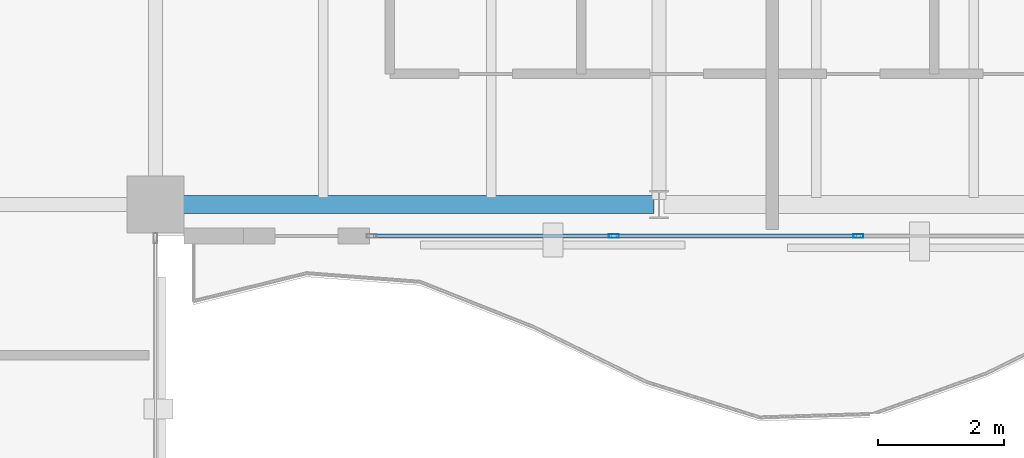
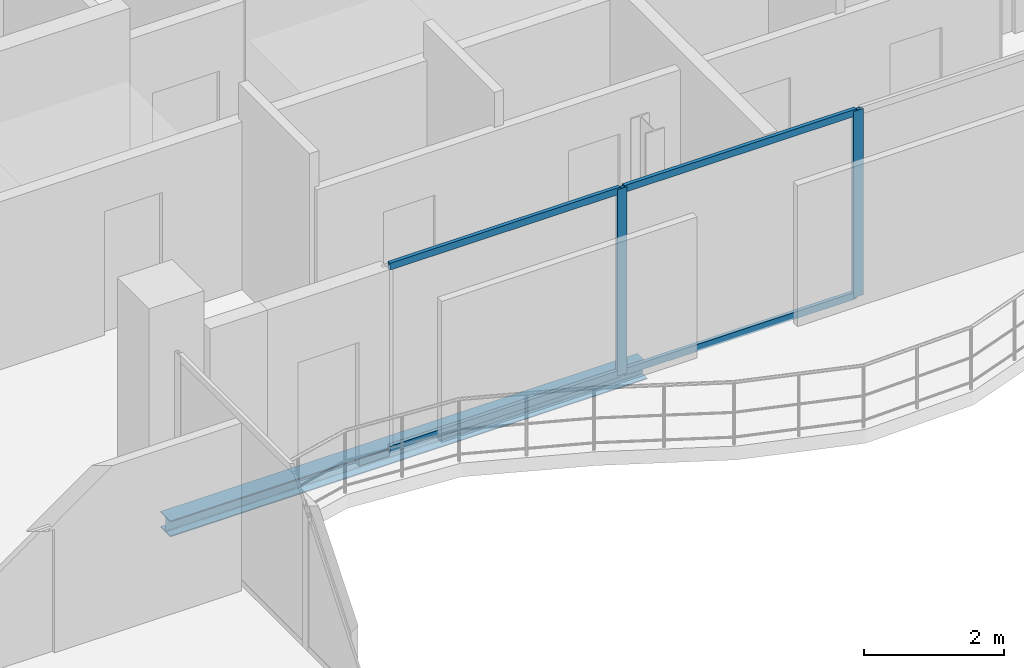
# One storey, part 9 of 22: 6 members, 1 beam, 1 element without a shape of its own.
"""IFC4 building model written with IfcOpenShell, lengths in metres."""

from ifc_helpers import new_model, si_unit, direction, frame, origin, origin_2d, place, context, subcontext, project, spatial, hollow_rectangle, i_section, extrude, material, layer, layer_set, material_profile, profile_set, type_object, element, aggregate, save


model = new_model("IFC4")

# Units and contexts
model_context = context("Model", 3, precision=1e-05, world=origin(), true_north=direction((0.0, 1.0)))
body_context = subcontext(model_context, "Body", "Model", "MODEL_VIEW")
ifc_project = project(units=[si_unit("LENGTHUNIT", "METRE"), si_unit("AREAUNIT", "SQUARE_METRE"), si_unit("VOLUMEUNIT", "CUBIC_METRE"), si_unit("PLANEANGLEUNIT", "RADIAN"), si_unit("MASSUNIT", "GRAM", prefix="KILO")], contexts=[model_context])

# Site, building, storey
site_placement = place(None, origin())
site = spatial("IfcSite", under=ifc_project, at=site_placement, CompositionType="ELEMENT")
building_placement = place(site_placement, origin())
building = spatial("IfcBuilding", under=site, at=building_placement, Name="Catumbela Crestline Tower", CompositionType="ELEMENT")
storey_placement = place(building_placement, frame((0.0, 0.0, 222.2)))
storey = spatial("IfcBuildingStorey", under=building, at=storey_placement, Name="L57", CompositionType="ELEMENT", Elevation=222.2)

# Curtain wall, members
ifc_material_1 = material(Name="Aluminium alloy AW-6060-T66", Category="aluminium")
ifc_layer = layer(ifc_material_1, 0.18, Name="Aluminium alloy AW-6060-T66")
ifc_layer_set = layer_set([ifc_layer], Name="Aluminium alloy AW-6060-T66")
curtain_wall_type = type_object("IfcCurtainWallType", Name="CWU-Z4", PredefinedType="USERDEFINED", material=ifc_layer_set)
curtain_wall_placement = place(storey_placement, origin())
curtain_wall = element("IfcCurtainWall", 1, at=curtain_wall_placement, inside=storey, type_object=curtain_wall_type, Name="L57 Unitised Curtain Wall CW-L57-E3S2", ObjectType="UNITISED", PredefinedType="USERDEFINED")
ifc_material_profile_1 = material_profile(ifc_material_1, hollow_rectangle(XDim=0.06, YDim=0.16, WallThickness=0.004, at=origin_2d()), Name="ALU 160x60x4")
ifc_profile_set_1 = profile_set([ifc_material_profile_1], Name="Aluminium alloy AW-6060-T66")
member_type_1 = type_object("IfcMemberType", Name="MUL-160X60", PredefinedType="MULLION", material=ifc_profile_set_1)
member_1_placement = place(storey_placement, frame((31.2833, 24.0, 0.0), z_axis=(0.0, 0.0, 1.0), x_axis=(0.0, 1.0, 0.0)))
member_1 = element("IfcMember", 2, at=member_1_placement, type_object=member_type_1, Name="CWU-Z4 mullion 2", PredefinedType="MULLION", context=body_context, shape_type="SweptSolid", body=[
    extrude(hollow_rectangle(XDim=0.06, YDim=0.16, WallThickness=0.004, at=origin_2d()), origin(), (0.0, 0.0, 1.0), 3.24),
])
member_2_placement = place(storey_placement, frame((35.1667, 24.0, 0.0), z_axis=(0.0, 0.0, 1.0), x_axis=(0.0, 1.0, 0.0)))
member_2 = element("IfcMember", 3, at=member_2_placement, type_object=member_type_1, Name="CWU-Z4 mullion 3", PredefinedType="MULLION", context=body_context, shape_type="SweptSolid", body=[
    extrude(hollow_rectangle(XDim=0.06, YDim=0.16, WallThickness=0.004, at=origin_2d()), origin(), (0.0, 0.0, 1.0), 3.24),
])

# Beam
ifc_material_2 = material(Name="Structural steel S355J2", Category="steel")
ifc_material_profile_2 = material_profile(ifc_material_2, i_section(OverallWidth=0.28, OverallDepth=0.28, WebThickness=0.0105, FlangeThickness=0.018, FilletRadius=0.024, at=origin_2d()), Name="HEB 280")
ifc_profile_set_2 = profile_set([ifc_material_profile_2], Name="Structural steel S355J2")
beam_type = type_object("IfcBeamType", Name="BS-HEB280", PredefinedType="SPANDREL", material=ifc_profile_set_2)
beam_placement = place(storey_placement, frame((24.08, 24.5, -0.4), z_axis=(1.0, 0.0, 0.0), x_axis=(0.0, 1.0, 0.0)))
element("IfcBeam", 4, at=beam_placement, inside=storey, type_object=beam_type, Name="L57 Spandrel SP-L57-S04", PredefinedType="SPANDREL", context=body_context, shape_type="SweptSolid", body=[
    extrude(i_section(OverallWidth=0.28, OverallDepth=0.28, WebThickness=0.0105, FlangeThickness=0.018, FilletRadius=0.024, at=origin_2d()), origin(), (0.0, 0.0, 1.0), 7.84),
])

# Member
ifc_material_profile_3 = material_profile(ifc_material_1, hollow_rectangle(XDim=0.06, YDim=0.12, WallThickness=0.0035, at=origin_2d()), Name="ALU 120x60x3.5")
ifc_profile_set_3 = profile_set([ifc_material_profile_3], Name="Aluminium alloy AW-6060-T66")
member_type_2 = type_object("IfcMemberType", Name="TRN-120X60", PredefinedType="USERDEFINED", material=ifc_profile_set_3)
member_3_placement = place(storey_placement, frame((27.465, 24.0, 0.03), z_axis=(1.0, 0.0, 0.0), x_axis=(0.0, 1.0, 0.0)))
member_3 = element("IfcMember", 5, at=member_3_placement, type_object=member_type_2, Name="CWU-Z4 transom 1.1", ObjectType="TRANSOM", PredefinedType="USERDEFINED", context=body_context, shape_type="SweptSolid", body=[
    extrude(hollow_rectangle(XDim=0.06, YDim=0.12, WallThickness=0.0035, at=origin_2d()), origin(), (0.0, 0.0, 1.0), 3.7858),
])

member_4_placement = place(storey_placement, frame((27.465, 24.0, 3.21), z_axis=(1.0, 0.0, 0.0), x_axis=(0.0, 1.0, 0.0)))
member_4 = element("IfcMember", 6, at=member_4_placement, type_object=member_type_2, Name="CWU-Z4 transom 1.2", ObjectType="TRANSOM", PredefinedType="USERDEFINED", context=body_context, shape_type="SweptSolid", body=[
    extrude(hollow_rectangle(XDim=0.06, YDim=0.12, WallThickness=0.0035, at=origin_2d()), origin(), (0.0, 0.0, 1.0), 3.7858),
])

member_5_placement = place(storey_placement, frame((31.3158, 24.0, 0.03), z_axis=(1.0, 0.0, 0.0), x_axis=(0.0, 1.0, 0.0)))
member_5 = element("IfcMember", 7, at=member_5_placement, type_object=member_type_2, Name="CWU-Z4 transom 2.1", ObjectType="TRANSOM", PredefinedType="USERDEFINED", context=body_context, shape_type="SweptSolid", body=[
    extrude(hollow_rectangle(XDim=0.06, YDim=0.12, WallThickness=0.0035, at=origin_2d()), origin(), (0.0, 0.0, 1.0), 3.8184),
])

member_6_placement = place(storey_placement, frame((31.3158, 24.0, 3.21), z_axis=(1.0, 0.0, 0.0), x_axis=(0.0, 1.0, 0.0)))
member_6 = element("IfcMember", 8, at=member_6_placement, type_object=member_type_2, Name="CWU-Z4 transom 2.2", ObjectType="TRANSOM", PredefinedType="USERDEFINED", context=body_context, shape_type="SweptSolid", body=[
    extrude(hollow_rectangle(XDim=0.06, YDim=0.12, WallThickness=0.0035, at=origin_2d()), origin(), (0.0, 0.0, 1.0), 3.8184),
])

aggregate(curtain_wall, [member_1, member_2, member_3, member_4, member_5, member_6])

save(model, "model.ifc")
